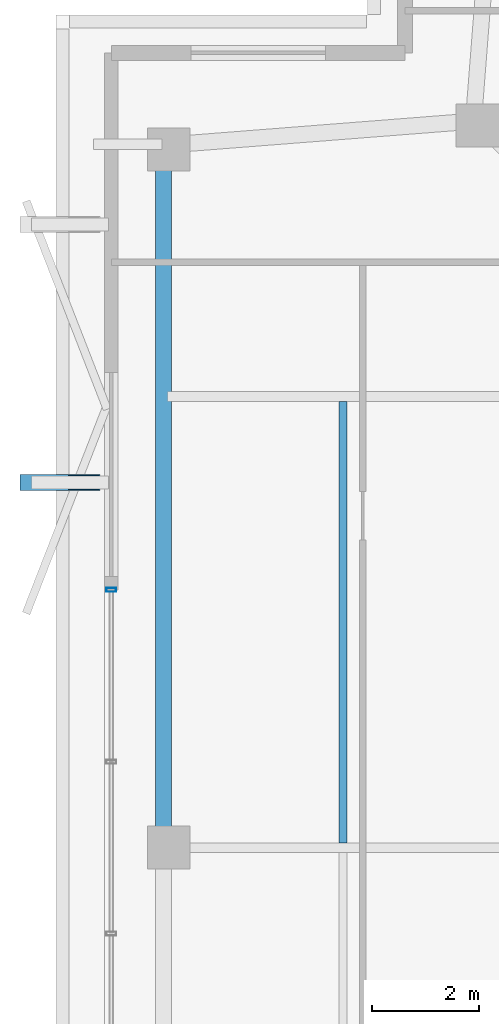
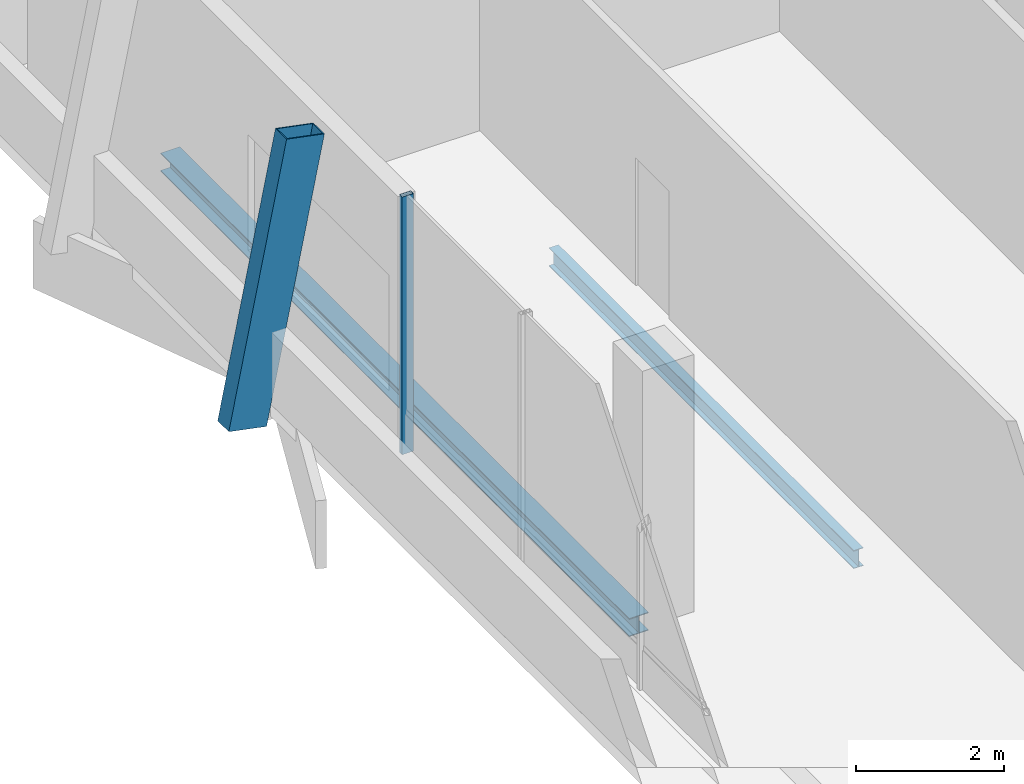
# One storey, part 6 of 17: 2 beams, 2 members, 1 element without a shape of its own.
"""IFC4 building model written with IfcOpenShell, lengths in metres."""

from ifc_helpers import new_model, si_unit, direction, frame, origin, origin_2d, place, context, subcontext, project, spatial, hollow_rectangle, i_section, extrude, material, layer, layer_set, material_profile, profile_set, type_object, element, aggregate, save


model = new_model("IFC4")

# Units and contexts
model_context = context("Model", 3, precision=1e-05, world=origin(), true_north=direction((0.0, 1.0)))
body_context = subcontext(model_context, "Body", "Model", "MODEL_VIEW")
ifc_project = project(units=[si_unit("LENGTHUNIT", "METRE"), si_unit("AREAUNIT", "SQUARE_METRE"), si_unit("VOLUMEUNIT", "CUBIC_METRE"), si_unit("PLANEANGLEUNIT", "RADIAN"), si_unit("MASSUNIT", "GRAM", prefix="KILO")], contexts=[model_context])

# Site, building, storey
site_placement = place(None, origin())
site = spatial("IfcSite", under=ifc_project, at=site_placement, CompositionType="ELEMENT")
building_placement = place(site_placement, origin())
building = spatial("IfcBuilding", under=site, at=building_placement, Name="Belovzor Exchange Tower", CompositionType="ELEMENT")
storey_placement = place(building_placement, frame((0.0, 0.0, 355.5)))
storey = spatial("IfcBuildingStorey", under=building, at=storey_placement, Name="L89", CompositionType="ELEMENT", Elevation=355.5)

# Beam
ifc_material_1 = material(Name="Steel S355", Category="steel")
ifc_material_profile_1 = material_profile(ifc_material_1, i_section(OverallWidth=0.14990234375, OverallDepth=0.300048828125, WebThickness=0.007080078125, FlangeThickness=0.0107421875, at=origin_2d()))
ifc_profile_set_1 = profile_set([ifc_material_profile_1], Name="Steel S355")
beam_type_1 = type_object("IfcBeamType", Name="Secondary Trim Floor Joist IPE 300", PredefinedType="BEAM", material=ifc_profile_set_1)
beam_1_placement = place(storey_placement, frame((12.847900390625, 28.889892578125, -0.409912109375), z_axis=(0.0, 1.0, 0.0), x_axis=(-1.0, 0.0, 0.0)))
element("IfcBeam", 1, at=beam_1_placement, inside=storey, type_object=beam_type_1, Name="FJ-300 Secondary Trim Floor Joist IPE 300", PredefinedType="BEAM", context=body_context, shape_type="SweptSolid", body=[
    extrude(i_section(OverallWidth=0.14990234375, OverallDepth=0.300048828125, WebThickness=0.007080078125, FlangeThickness=0.0107421875, at=origin_2d()), origin(), (0.0, 0.0, 1.0), 8.22021484375),
])

# Curtain wall, member
ifc_material_2 = material(Name="Anodised Aluminium Framing", Category="aluminium")
ifc_layer = layer(ifc_material_2, 0.169921875)
ifc_layer_set = layer_set([ifc_layer], Name="Anodised Aluminium Framing")
curtain_wall_type = type_object("IfcCurtainWallType", Name="Stepped Crown Faceted Lantern Curtain Wall", PredefinedType="NOTDEFINED", material=ifc_layer_set)
curtain_wall_placement = place(storey_placement, origin())
curtain_wall = element("IfcCurtainWall", 2, at=curtain_wall_placement, inside=storey, type_object=curtain_wall_type, Name="CW6 Stepped Crown Faceted Lantern Curtain Wall L89", PredefinedType="NOTDEFINED")
ifc_material_3 = material(Name="Steel S355", Category="steel")
ifc_material_profile_2 = material_profile(ifc_material_3, hollow_rectangle(XDim=0.074951171875, YDim=0.179931640625, WallThickness=0.0048828125, at=origin_2d()))
ifc_profile_set_2 = profile_set([ifc_material_profile_2], Name="Steel S355")
member_type_1 = type_object("IfcMemberType", Name="Thermally Broken Curtain Wall Mullion 180x75", PredefinedType="MULLION", material=ifc_profile_set_2)
member_1_placement = place(storey_placement, frame((8.530029296875, 33.60009765625, 0.0), z_axis=(0.0, 0.0, 1.0), x_axis=(0.0, 1.0, 0.0)))
member_1 = element("IfcMember", 3, at=member_1_placement, type_object=member_type_1, Name="CW-M180 Curtain Wall Mullion 4", PredefinedType="MULLION", context=body_context, shape_type="SweptSolid", body=[
    extrude(hollow_rectangle(XDim=0.074951171875, YDim=0.179931640625, WallThickness=0.0048828125, at=origin_2d()), origin(), (0.0, 0.0, 1.0), 4.239990234375),
])
aggregate(curtain_wall, [member_1])

# Member
ifc_material_4 = material(Name="Extruded Architectural Terracotta on Steel S355 Carrier", Category="masonry")
ifc_material_profile_3 = material_profile(ifc_material_4, hollow_rectangle(XDim=0.300048828125, YDim=0.60009765625, WallThickness=0.01611328125, at=origin_2d()))
ifc_profile_set_3 = profile_set([ifc_material_profile_3], Name="Extruded Architectural Terracotta on Steel S355 Carrier")
member_type_2 = type_object("IfcMemberType", Name="Upper Crown Terracotta Fin Assembly 550", PredefinedType="USERDEFINED", material=ifc_profile_set_3)
member_2_placement = place(storey_placement, frame((7.125, 35.60009765625, -0.260009765625), z_axis=(0.196095673508, 0.0, 0.980584767795), x_axis=(0.0, 1.0, 0.0)))
element("IfcMember", 4, at=member_2_placement, inside=storey, type_object=member_type_2, Name="FIN-TC055 Terracotta Facade Fin L89 W3", ObjectType="FIN", PredefinedType="USERDEFINED", context=body_context, shape_type="SweptSolid", body=[
    extrude(hollow_rectangle(XDim=0.300048828125, YDim=0.60009765625, WallThickness=0.01611328125, at=origin_2d()), origin(), (0.0, 0.0, 1.0), 4.589111328125),
])

# Beam
ifc_material_5 = material(Name="Steel S355", Category="steel")
ifc_material_profile_4 = material_profile(ifc_material_5, i_section(OverallWidth=0.300048828125, OverallDepth=0.300048828125, WebThickness=0.008544921875, FlangeThickness=0.013916015625, at=origin_2d()))
ifc_profile_set_4 = profile_set([ifc_material_profile_4], Name="Steel S355")
beam_type_2 = type_object("IfcBeamType", Name="Zone 6 Primary Girder HEA 300", PredefinedType="BEAM", material=ifc_profile_set_4)
beam_2_placement = place(storey_placement, frame((9.501953125, 41.656982421875, -0.409912109375), z_axis=(0.0, -1.0, 0.0), x_axis=(1.0, 0.0, 0.0)))
element("IfcBeam", 5, at=beam_2_placement, inside=storey, type_object=beam_type_2, Name="FG-Z6 Zone 6 Primary Girder HEA 300", PredefinedType="BEAM", context=body_context, shape_type="SweptSolid", body=[
    extrude(i_section(OverallWidth=0.300048828125, OverallDepth=0.300048828125, WebThickness=0.008544921875, FlangeThickness=0.013916015625, at=origin_2d()), origin(), (0.0, 0.0, 1.0), 12.636962890625),
])

save(model, "model.ifc")
